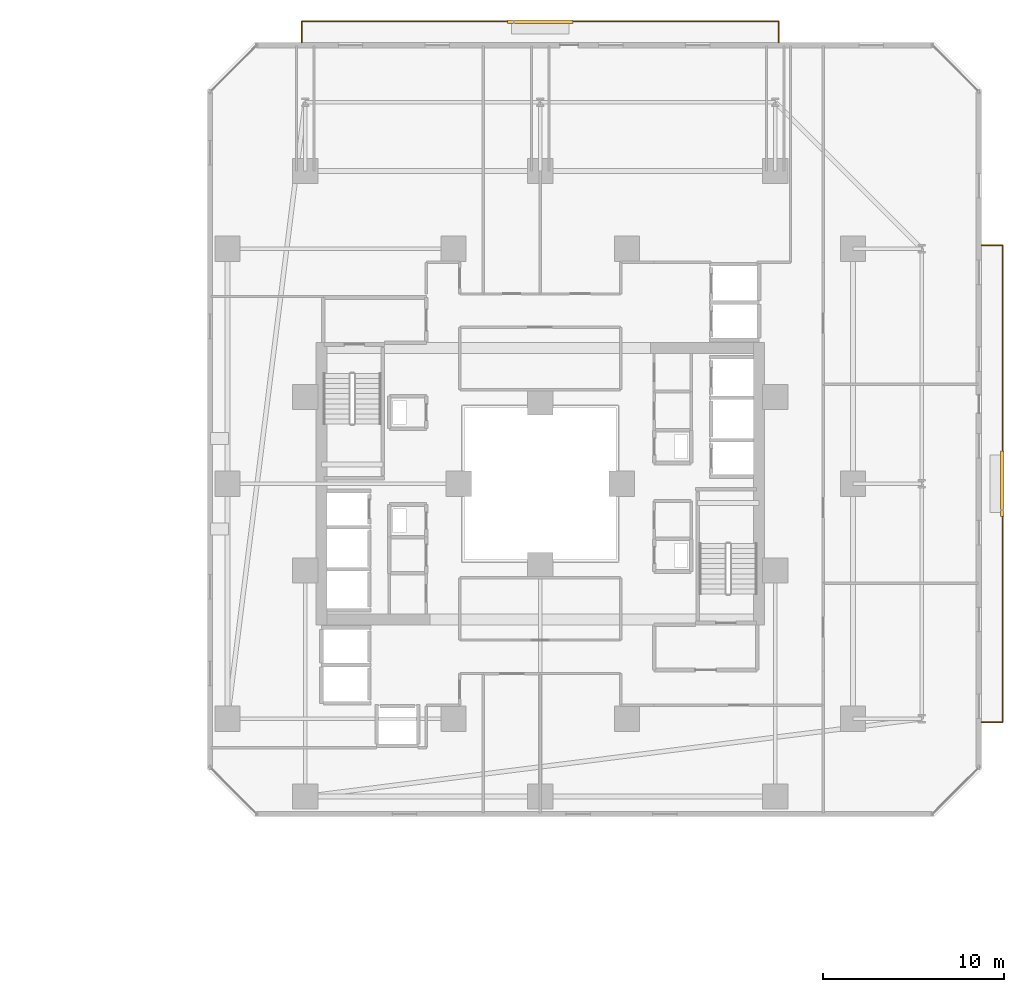
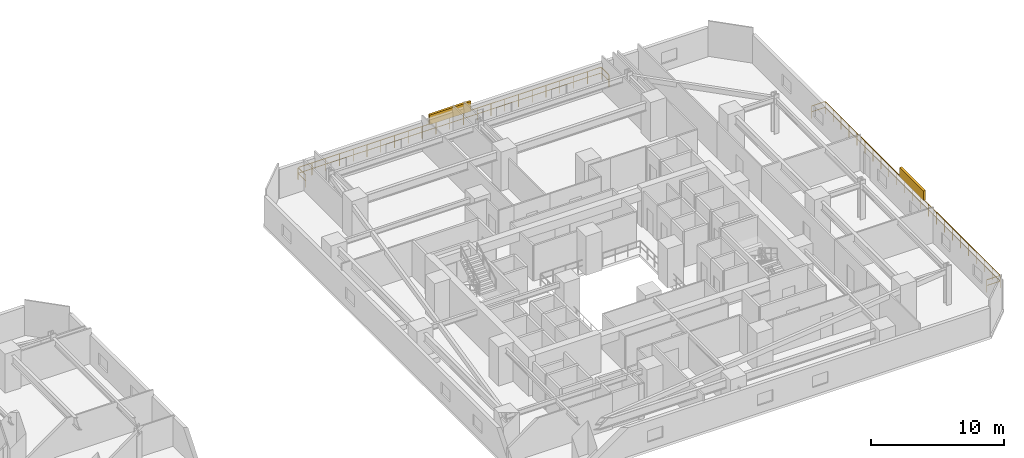
# One storey, part 36 of 36: 2 railings, 2 shading devices.
"""IFC4 building model written with IfcOpenShell, lengths in metres."""

from ifc_helpers import new_model, si_unit, direction, frame, origin, origin_2d, place, context, subcontext, project, spatial, rectangle, extrude, material, type_object, element, save


model = new_model("IFC4")

# Units and contexts
model_context = context("Model", 3, precision=1e-05, world=origin(), true_north=direction((0.0, 1.0)))
body_context = subcontext(model_context, "Body", "Model", "MODEL_VIEW")
ifc_project = project(units=[si_unit("LENGTHUNIT", "METRE"), si_unit("AREAUNIT", "SQUARE_METRE"), si_unit("VOLUMEUNIT", "CUBIC_METRE"), si_unit("PLANEANGLEUNIT", "RADIAN"), si_unit("MASSUNIT", "GRAM", prefix="KILO")], contexts=[model_context])

# Site, building, storey
site_placement = place(None, origin())
site = spatial("IfcSite", under=ifc_project, at=site_placement, CompositionType="ELEMENT")
building_placement = place(site_placement, origin())
building = spatial("IfcBuilding", under=site, at=building_placement, Name="Thornwick Lancets Civic Towers", CompositionType="ELEMENT")
storey_placement = place(building_placement, frame((0.0, 0.0, 68.10009765625)))
storey = spatial("IfcBuildingStorey", under=building, at=storey_placement, Name="L17", CompositionType="ELEMENT", Elevation=68.10009765625)

# Railings
ifc_material_1 = material(Name="Terracotta-capped laminated glass balustrade S355", Category="masonry")
railing_type = type_object("IfcRailingType", Name="RAIL_TERR_GUARD", PredefinedType="GUARDRAIL", material=ifc_material_1)
railing_1_placement = place(storey_placement, frame((112.89990234375, 13.800048828125, 0.0)))
element("IfcRailing", 1, at=railing_1_placement, inside=storey, type_object=railing_type, Name="L17 Tower B Balcony Guard E", PredefinedType="GUARDRAIL", context=body_context, shape_type="SweptSolid", body=[
    extrude(rectangle(XDim=0.048095703125, YDim=0.048095703125, at=origin_2d()), frame((0.0, 0.0, 1.1259765625), z_axis=(1.0, 0.0, 0.0), x_axis=(0.0, 1.0, 0.0)), (0.0, 0.0, 1.0), 1.138916015625),
    extrude(rectangle(XDim=0.0419921875, YDim=0.0419921875, at=origin_2d()), frame((0.03759765625, 0.0, 0.597900390625), z_axis=(1.0, 0.0, 0.0), x_axis=(0.0, 1.0, 0.0)), (0.0, 0.0, 1.0), 1.09521484375),
    extrude(rectangle(XDim=0.048095703125, YDim=0.048095703125, at=origin_2d()), frame((1.170166015625, 0.03125, 1.1259765625), z_axis=(0.0, 1.0, 0.0), x_axis=(-1.0, 0.0, 0.0)), (0.0, 0.0, 1.0), 26.33740234375),
    extrude(rectangle(XDim=0.0419921875, YDim=0.0419921875, at=origin_2d()), frame((1.170166015625, 0.03759765625, 0.597900390625), z_axis=(0.0, 1.0, 0.0), x_axis=(-1.0, 0.0, 0.0)), (0.0, 0.0, 1.0), 1.125),
    extrude(rectangle(XDim=0.0419921875, YDim=0.0419921875, at=origin_2d()), frame((1.170166015625, 1.237548828125, 0.597900390625), z_axis=(0.0, 1.0, 0.0), x_axis=(-1.0, 0.0, 0.0)), (0.0, 0.0, 1.0), 1.125),
    extrude(rectangle(XDim=0.0419921875, YDim=0.0419921875, at=origin_2d()), frame((1.170166015625, 2.4375, 0.597900390625), z_axis=(0.0, 1.0, 0.0), x_axis=(-1.0, 0.0, 0.0)), (0.0, 0.0, 1.0), 1.125),
    extrude(rectangle(XDim=0.0419921875, YDim=0.0419921875, at=origin_2d()), frame((1.170166015625, 3.637451171875, 0.597900390625), z_axis=(0.0, 1.0, 0.0), x_axis=(-1.0, 0.0, 0.0)), (0.0, 0.0, 1.0), 1.125),
    extrude(rectangle(XDim=0.0419921875, YDim=0.0419921875, at=origin_2d()), frame((1.170166015625, 4.83740234375, 0.597900390625), z_axis=(0.0, 1.0, 0.0), x_axis=(-1.0, 0.0, 0.0)), (0.0, 0.0, 1.0), 1.125),
    extrude(rectangle(XDim=0.0419921875, YDim=0.0419921875, at=origin_2d()), frame((1.170166015625, 6.037353515625, 0.597900390625), z_axis=(0.0, 1.0, 0.0), x_axis=(-1.0, 0.0, 0.0)), (0.0, 0.0, 1.0), 1.125),
    extrude(rectangle(XDim=0.0419921875, YDim=0.0419921875, at=origin_2d()), frame((1.170166015625, 7.237548828125, 0.597900390625), z_axis=(0.0, 1.0, 0.0), x_axis=(-1.0, 0.0, 0.0)), (0.0, 0.0, 1.0), 1.125),
    extrude(rectangle(XDim=0.0419921875, YDim=0.0419921875, at=origin_2d()), frame((1.170166015625, 8.4375, 0.597900390625), z_axis=(0.0, 1.0, 0.0), x_axis=(-1.0, 0.0, 0.0)), (0.0, 0.0, 1.0), 1.125),
    extrude(rectangle(XDim=0.0419921875, YDim=0.0419921875, at=origin_2d()), frame((1.170166015625, 9.637451171875, 0.597900390625), z_axis=(0.0, 1.0, 0.0), x_axis=(-1.0, 0.0, 0.0)), (0.0, 0.0, 1.0), 1.125),
    extrude(rectangle(XDim=0.0419921875, YDim=0.0419921875, at=origin_2d()), frame((1.170166015625, 10.83740234375, 0.597900390625), z_axis=(0.0, 1.0, 0.0), x_axis=(-1.0, 0.0, 0.0)), (0.0, 0.0, 1.0), 1.125),
    extrude(rectangle(XDim=0.0419921875, YDim=0.0419921875, at=origin_2d()), frame((1.170166015625, 12.037353515625, 0.597900390625), z_axis=(0.0, 1.0, 0.0), x_axis=(-1.0, 0.0, 0.0)), (0.0, 0.0, 1.0), 1.125),
    extrude(rectangle(XDim=0.0419921875, YDim=0.0419921875, at=origin_2d()), frame((1.170166015625, 13.237548828125, 0.597900390625), z_axis=(0.0, 1.0, 0.0), x_axis=(-1.0, 0.0, 0.0)), (0.0, 0.0, 1.0), 1.125),
    extrude(rectangle(XDim=0.0419921875, YDim=0.0419921875, at=origin_2d()), frame((1.170166015625, 14.4375, 0.597900390625), z_axis=(0.0, 1.0, 0.0), x_axis=(-1.0, 0.0, 0.0)), (0.0, 0.0, 1.0), 1.125),
    extrude(rectangle(XDim=0.0419921875, YDim=0.0419921875, at=origin_2d()), frame((1.170166015625, 15.637451171875, 0.597900390625), z_axis=(0.0, 1.0, 0.0), x_axis=(-1.0, 0.0, 0.0)), (0.0, 0.0, 1.0), 1.125),
    extrude(rectangle(XDim=0.0419921875, YDim=0.0419921875, at=origin_2d()), frame((1.170166015625, 16.83740234375, 0.597900390625), z_axis=(0.0, 1.0, 0.0), x_axis=(-1.0, 0.0, 0.0)), (0.0, 0.0, 1.0), 1.125),
    extrude(rectangle(XDim=0.0419921875, YDim=0.0419921875, at=origin_2d()), frame((1.170166015625, 18.037353515625, 0.597900390625), z_axis=(0.0, 1.0, 0.0), x_axis=(-1.0, 0.0, 0.0)), (0.0, 0.0, 1.0), 1.125),
    extrude(rectangle(XDim=0.0419921875, YDim=0.0419921875, at=origin_2d()), frame((1.170166015625, 19.2373046875, 0.597900390625), z_axis=(0.0, 1.0, 0.0), x_axis=(-1.0, 0.0, 0.0)), (0.0, 0.0, 1.0), 1.125),
    extrude(rectangle(XDim=0.0419921875, YDim=0.0419921875, at=origin_2d()), frame((1.170166015625, 20.4375, 0.597900390625), z_axis=(0.0, 1.0, 0.0), x_axis=(-1.0, 0.0, 0.0)), (0.0, 0.0, 1.0), 1.125),
    extrude(rectangle(XDim=0.0419921875, YDim=0.0419921875, at=origin_2d()), frame((1.170166015625, 21.637451171875, 0.597900390625), z_axis=(0.0, 1.0, 0.0), x_axis=(-1.0, 0.0, 0.0)), (0.0, 0.0, 1.0), 1.125),
    extrude(rectangle(XDim=0.0419921875, YDim=0.0419921875, at=origin_2d()), frame((1.170166015625, 22.83740234375, 0.597900390625), z_axis=(0.0, 1.0, 0.0), x_axis=(-1.0, 0.0, 0.0)), (0.0, 0.0, 1.0), 1.125),
    extrude(rectangle(XDim=0.0419921875, YDim=0.0419921875, at=origin_2d()), frame((1.170166015625, 24.037353515625, 0.597900390625), z_axis=(0.0, 1.0, 0.0), x_axis=(-1.0, 0.0, 0.0)), (0.0, 0.0, 1.0), 1.125),
    extrude(rectangle(XDim=0.0419921875, YDim=0.0419921875, at=origin_2d()), frame((1.170166015625, 25.2373046875, 0.597900390625), z_axis=(0.0, 1.0, 0.0), x_axis=(-1.0, 0.0, 0.0)), (0.0, 0.0, 1.0), 1.125),
    extrude(rectangle(XDim=0.048095703125, YDim=0.048095703125, at=origin_2d()), frame((1.138916015625, 26.39990234375, 1.1259765625), z_axis=(-1.0, 0.0, 0.0), x_axis=(0.0, -1.0, 0.0)), (0.0, 0.0, 1.0), 1.138916015625),
    extrude(rectangle(XDim=0.0419921875, YDim=0.0419921875, at=origin_2d()), frame((1.132568359375, 26.39990234375, 0.597900390625), z_axis=(-1.0, 0.0, 0.0), x_axis=(0.0, -1.0, 0.0)), (0.0, 0.0, 1.0), 1.09521484375),
    extrude(rectangle(XDim=0.0419921875, YDim=0.0419921875, at=origin_2d()), origin(), (0.0, 0.0, 1.0), 1.095703125),
    extrude(rectangle(XDim=0.0419921875, YDim=0.0419921875, at=origin_2d()), frame((1.170166015625, 0.0, 0.0)), (0.0, 0.0, 1.0), 1.095703125),
    extrude(rectangle(XDim=0.0419921875, YDim=0.0419921875, at=origin_2d()), frame((1.170166015625, 1.199951171875, 0.0)), (0.0, 0.0, 1.0), 1.095703125),
    extrude(rectangle(XDim=0.0419921875, YDim=0.0419921875, at=origin_2d()), frame((1.170166015625, 2.39990234375, 0.0)), (0.0, 0.0, 1.0), 1.095703125),
    extrude(rectangle(XDim=0.0419921875, YDim=0.0419921875, at=origin_2d()), frame((1.170166015625, 3.60009765625, 0.0)), (0.0, 0.0, 1.0), 1.095703125),
    extrude(rectangle(XDim=0.0419921875, YDim=0.0419921875, at=origin_2d()), frame((1.170166015625, 4.800048828125, 0.0)), (0.0, 0.0, 1.0), 1.095703125),
    extrude(rectangle(XDim=0.0419921875, YDim=0.0419921875, at=origin_2d()), frame((1.170166015625, 6.0, 0.0)), (0.0, 0.0, 1.0), 1.095703125),
    extrude(rectangle(XDim=0.0419921875, YDim=0.0419921875, at=origin_2d()), frame((1.170166015625, 7.199951171875, 0.0)), (0.0, 0.0, 1.0), 1.095703125),
    extrude(rectangle(XDim=0.0419921875, YDim=0.0419921875, at=origin_2d()), frame((1.170166015625, 8.39990234375, 0.0)), (0.0, 0.0, 1.0), 1.095703125),
    extrude(rectangle(XDim=0.0419921875, YDim=0.0419921875, at=origin_2d()), frame((1.170166015625, 9.599853515625, 0.0)), (0.0, 0.0, 1.0), 1.095703125),
    extrude(rectangle(XDim=0.0419921875, YDim=0.0419921875, at=origin_2d()), frame((1.170166015625, 10.800048828125, 0.0)), (0.0, 0.0, 1.0), 1.095703125),
    extrude(rectangle(XDim=0.0419921875, YDim=0.0419921875, at=origin_2d()), frame((1.170166015625, 12.0, 0.0)), (0.0, 0.0, 1.0), 1.095703125),
    extrude(rectangle(XDim=0.0419921875, YDim=0.0419921875, at=origin_2d()), frame((1.170166015625, 13.199951171875, 0.0)), (0.0, 0.0, 1.0), 1.095703125),
    extrude(rectangle(XDim=0.0419921875, YDim=0.0419921875, at=origin_2d()), frame((1.170166015625, 14.39990234375, 0.0)), (0.0, 0.0, 1.0), 1.095703125),
    extrude(rectangle(XDim=0.0419921875, YDim=0.0419921875, at=origin_2d()), frame((1.170166015625, 15.599853515625, 0.0)), (0.0, 0.0, 1.0), 1.095703125),
    extrude(rectangle(XDim=0.0419921875, YDim=0.0419921875, at=origin_2d()), frame((1.170166015625, 16.800048828125, 0.0)), (0.0, 0.0, 1.0), 1.095703125),
    extrude(rectangle(XDim=0.0419921875, YDim=0.0419921875, at=origin_2d()), frame((1.170166015625, 18.0, 0.0)), (0.0, 0.0, 1.0), 1.095703125),
    extrude(rectangle(XDim=0.0419921875, YDim=0.0419921875, at=origin_2d()), frame((1.170166015625, 19.199951171875, 0.0)), (0.0, 0.0, 1.0), 1.095703125),
    extrude(rectangle(XDim=0.0419921875, YDim=0.0419921875, at=origin_2d()), frame((1.170166015625, 20.39990234375, 0.0)), (0.0, 0.0, 1.0), 1.095703125),
    extrude(rectangle(XDim=0.0419921875, YDim=0.0419921875, at=origin_2d()), frame((1.170166015625, 21.599853515625, 0.0)), (0.0, 0.0, 1.0), 1.095703125),
    extrude(rectangle(XDim=0.0419921875, YDim=0.0419921875, at=origin_2d()), frame((1.170166015625, 22.7998046875, 0.0)), (0.0, 0.0, 1.0), 1.095703125),
    extrude(rectangle(XDim=0.0419921875, YDim=0.0419921875, at=origin_2d()), frame((1.170166015625, 24.0, 0.0)), (0.0, 0.0, 1.0), 1.095703125),
    extrude(rectangle(XDim=0.0419921875, YDim=0.0419921875, at=origin_2d()), frame((1.170166015625, 25.199951171875, 0.0)), (0.0, 0.0, 1.0), 1.095703125),
    extrude(rectangle(XDim=0.0419921875, YDim=0.0419921875, at=origin_2d()), frame((1.170166015625, 26.39990234375, 0.0)), (0.0, 0.0, 1.0), 1.095703125),
    extrude(rectangle(XDim=0.0419921875, YDim=0.0419921875, at=origin_2d()), frame((0.0, 26.39990234375, 0.0)), (0.0, 0.0, 1.0), 1.095703125),
])
railing_2_placement = place(storey_placement, frame((75.300048828125, 51.39990234375, 0.0)))
element("IfcRailing", 2, at=railing_2_placement, inside=storey, type_object=railing_type, Name="L17 Tower B Balcony Guard N", PredefinedType="GUARDRAIL", context=body_context, shape_type="SweptSolid", body=[
    extrude(rectangle(XDim=0.048095703125, YDim=0.048095703125, at=origin_2d()), frame((0.0, 0.0, 1.1259765625), z_axis=(0.0, 1.0, 0.0), x_axis=(-1.0, 0.0, 0.0)), (0.0, 0.0, 1.0), 1.138916015625),
    extrude(rectangle(XDim=0.0419921875, YDim=0.0419921875, at=origin_2d()), frame((0.0, 0.03759765625, 0.597900390625), z_axis=(0.0, 1.0, 0.0), x_axis=(-1.0, 0.0, 0.0)), (0.0, 0.0, 1.0), 1.09521484375),
    extrude(rectangle(XDim=0.048095703125, YDim=0.048095703125, at=origin_2d()), frame((0.03125, 1.170166015625, 1.1259765625), z_axis=(1.0, 0.0, 0.0), x_axis=(0.0, 1.0, 0.0)), (0.0, 0.0, 1.0), 26.33740234375),
    extrude(rectangle(XDim=0.0419921875, YDim=0.0419921875, at=origin_2d()), frame((0.03759765625, 1.170166015625, 0.597900390625), z_axis=(1.0, 0.0, 0.0), x_axis=(0.0, 1.0, 0.0)), (0.0, 0.0, 1.0), 1.125),
    extrude(rectangle(XDim=0.0419921875, YDim=0.0419921875, at=origin_2d()), frame((1.237548828125, 1.170166015625, 0.597900390625), z_axis=(1.0, 0.0, 0.0), x_axis=(0.0, 1.0, 0.0)), (0.0, 0.0, 1.0), 1.125),
    extrude(rectangle(XDim=0.0419921875, YDim=0.0419921875, at=origin_2d()), frame((2.4375, 1.170166015625, 0.597900390625), z_axis=(1.0, 0.0, 0.0), x_axis=(0.0, 1.0, 0.0)), (0.0, 0.0, 1.0), 1.125),
    extrude(rectangle(XDim=0.0419921875, YDim=0.0419921875, at=origin_2d()), frame((3.637451171875, 1.170166015625, 0.597900390625), z_axis=(1.0, 0.0, 0.0), x_axis=(0.0, 1.0, 0.0)), (0.0, 0.0, 1.0), 1.125),
    extrude(rectangle(XDim=0.0419921875, YDim=0.0419921875, at=origin_2d()), frame((4.83740234375, 1.170166015625, 0.597900390625), z_axis=(1.0, 0.0, 0.0), x_axis=(0.0, 1.0, 0.0)), (0.0, 0.0, 1.0), 1.125),
    extrude(rectangle(XDim=0.0419921875, YDim=0.0419921875, at=origin_2d()), frame((6.037353515625, 1.170166015625, 0.597900390625), z_axis=(1.0, 0.0, 0.0), x_axis=(0.0, 1.0, 0.0)), (0.0, 0.0, 1.0), 1.125),
    extrude(rectangle(XDim=0.0419921875, YDim=0.0419921875, at=origin_2d()), frame((7.237548828125, 1.170166015625, 0.597900390625), z_axis=(1.0, 0.0, 0.0), x_axis=(0.0, 1.0, 0.0)), (0.0, 0.0, 1.0), 1.125),
    extrude(rectangle(XDim=0.0419921875, YDim=0.0419921875, at=origin_2d()), frame((8.4375, 1.170166015625, 0.597900390625), z_axis=(1.0, 0.0, 0.0), x_axis=(0.0, 1.0, 0.0)), (0.0, 0.0, 1.0), 1.125),
    extrude(rectangle(XDim=0.0419921875, YDim=0.0419921875, at=origin_2d()), frame((9.637451171875, 1.170166015625, 0.597900390625), z_axis=(1.0, 0.0, 0.0), x_axis=(0.0, 1.0, 0.0)), (0.0, 0.0, 1.0), 1.125),
    extrude(rectangle(XDim=0.0419921875, YDim=0.0419921875, at=origin_2d()), frame((10.83740234375, 1.170166015625, 0.597900390625), z_axis=(1.0, 0.0, 0.0), x_axis=(0.0, 1.0, 0.0)), (0.0, 0.0, 1.0), 1.125),
    extrude(rectangle(XDim=0.0419921875, YDim=0.0419921875, at=origin_2d()), frame((12.037353515625, 1.170166015625, 0.597900390625), z_axis=(1.0, 0.0, 0.0), x_axis=(0.0, 1.0, 0.0)), (0.0, 0.0, 1.0), 1.125),
    extrude(rectangle(XDim=0.0419921875, YDim=0.0419921875, at=origin_2d()), frame((13.237548828125, 1.170166015625, 0.597900390625), z_axis=(1.0, 0.0, 0.0), x_axis=(0.0, 1.0, 0.0)), (0.0, 0.0, 1.0), 1.125),
    extrude(rectangle(XDim=0.0419921875, YDim=0.0419921875, at=origin_2d()), frame((14.4375, 1.170166015625, 0.597900390625), z_axis=(1.0, 0.0, 0.0), x_axis=(0.0, 1.0, 0.0)), (0.0, 0.0, 1.0), 1.125),
    extrude(rectangle(XDim=0.0419921875, YDim=0.0419921875, at=origin_2d()), frame((15.637451171875, 1.170166015625, 0.597900390625), z_axis=(1.0, 0.0, 0.0), x_axis=(0.0, 1.0, 0.0)), (0.0, 0.0, 1.0), 1.125),
    extrude(rectangle(XDim=0.0419921875, YDim=0.0419921875, at=origin_2d()), frame((16.83740234375, 1.170166015625, 0.597900390625), z_axis=(1.0, 0.0, 0.0), x_axis=(0.0, 1.0, 0.0)), (0.0, 0.0, 1.0), 1.125),
    extrude(rectangle(XDim=0.0419921875, YDim=0.0419921875, at=origin_2d()), frame((18.037353515625, 1.170166015625, 0.597900390625), z_axis=(1.0, 0.0, 0.0), x_axis=(0.0, 1.0, 0.0)), (0.0, 0.0, 1.0), 1.125),
    extrude(rectangle(XDim=0.0419921875, YDim=0.0419921875, at=origin_2d()), frame((19.2373046875, 1.170166015625, 0.597900390625), z_axis=(1.0, 0.0, 0.0), x_axis=(0.0, 1.0, 0.0)), (0.0, 0.0, 1.0), 1.125),
    extrude(rectangle(XDim=0.0419921875, YDim=0.0419921875, at=origin_2d()), frame((20.4375, 1.170166015625, 0.597900390625), z_axis=(1.0, 0.0, 0.0), x_axis=(0.0, 1.0, 0.0)), (0.0, 0.0, 1.0), 1.125),
    extrude(rectangle(XDim=0.0419921875, YDim=0.0419921875, at=origin_2d()), frame((21.637451171875, 1.170166015625, 0.597900390625), z_axis=(1.0, 0.0, 0.0), x_axis=(0.0, 1.0, 0.0)), (0.0, 0.0, 1.0), 1.125),
    extrude(rectangle(XDim=0.0419921875, YDim=0.0419921875, at=origin_2d()), frame((22.83740234375, 1.170166015625, 0.597900390625), z_axis=(1.0, 0.0, 0.0), x_axis=(0.0, 1.0, 0.0)), (0.0, 0.0, 1.0), 1.125),
    extrude(rectangle(XDim=0.0419921875, YDim=0.0419921875, at=origin_2d()), frame((24.037353515625, 1.170166015625, 0.597900390625), z_axis=(1.0, 0.0, 0.0), x_axis=(0.0, 1.0, 0.0)), (0.0, 0.0, 1.0), 1.125),
    extrude(rectangle(XDim=0.0419921875, YDim=0.0419921875, at=origin_2d()), frame((25.2373046875, 1.170166015625, 0.597900390625), z_axis=(1.0, 0.0, 0.0), x_axis=(0.0, 1.0, 0.0)), (0.0, 0.0, 1.0), 1.125),
    extrude(rectangle(XDim=0.048095703125, YDim=0.048095703125, at=origin_2d()), frame((26.39990234375, 1.138916015625, 1.1259765625), z_axis=(0.0, -1.0, 0.0), x_axis=(1.0, 0.0, 0.0)), (0.0, 0.0, 1.0), 1.138916015625),
    extrude(rectangle(XDim=0.0419921875, YDim=0.0419921875, at=origin_2d()), frame((26.39990234375, 1.132568359375, 0.597900390625), z_axis=(0.0, -1.0, 0.0), x_axis=(1.0, 0.0, 0.0)), (0.0, 0.0, 1.0), 1.09521484375),
    extrude(rectangle(XDim=0.0419921875, YDim=0.0419921875, at=origin_2d()), origin(), (0.0, 0.0, 1.0), 1.095703125),
    extrude(rectangle(XDim=0.0419921875, YDim=0.0419921875, at=origin_2d()), frame((0.0, 1.170166015625, 0.0)), (0.0, 0.0, 1.0), 1.095703125),
    extrude(rectangle(XDim=0.0419921875, YDim=0.0419921875, at=origin_2d()), frame((1.199951171875, 1.170166015625, 0.0)), (0.0, 0.0, 1.0), 1.095703125),
    extrude(rectangle(XDim=0.0419921875, YDim=0.0419921875, at=origin_2d()), frame((2.39990234375, 1.170166015625, 0.0)), (0.0, 0.0, 1.0), 1.095703125),
    extrude(rectangle(XDim=0.0419921875, YDim=0.0419921875, at=origin_2d()), frame((3.60009765625, 1.170166015625, 0.0)), (0.0, 0.0, 1.0), 1.095703125),
    extrude(rectangle(XDim=0.0419921875, YDim=0.0419921875, at=origin_2d()), frame((4.800048828125, 1.170166015625, 0.0)), (0.0, 0.0, 1.0), 1.095703125),
    extrude(rectangle(XDim=0.0419921875, YDim=0.0419921875, at=origin_2d()), frame((6.0, 1.170166015625, 0.0)), (0.0, 0.0, 1.0), 1.095703125),
    extrude(rectangle(XDim=0.0419921875, YDim=0.0419921875, at=origin_2d()), frame((7.199951171875, 1.170166015625, 0.0)), (0.0, 0.0, 1.0), 1.095703125),
    extrude(rectangle(XDim=0.0419921875, YDim=0.0419921875, at=origin_2d()), frame((8.39990234375, 1.170166015625, 0.0)), (0.0, 0.0, 1.0), 1.095703125),
    extrude(rectangle(XDim=0.0419921875, YDim=0.0419921875, at=origin_2d()), frame((9.599853515625, 1.170166015625, 0.0)), (0.0, 0.0, 1.0), 1.095703125),
    extrude(rectangle(XDim=0.0419921875, YDim=0.0419921875, at=origin_2d()), frame((10.800048828125, 1.170166015625, 0.0)), (0.0, 0.0, 1.0), 1.095703125),
    extrude(rectangle(XDim=0.0419921875, YDim=0.0419921875, at=origin_2d()), frame((12.0, 1.170166015625, 0.0)), (0.0, 0.0, 1.0), 1.095703125),
    extrude(rectangle(XDim=0.0419921875, YDim=0.0419921875, at=origin_2d()), frame((13.199951171875, 1.170166015625, 0.0)), (0.0, 0.0, 1.0), 1.095703125),
    extrude(rectangle(XDim=0.0419921875, YDim=0.0419921875, at=origin_2d()), frame((14.39990234375, 1.170166015625, 0.0)), (0.0, 0.0, 1.0), 1.095703125),
    extrude(rectangle(XDim=0.0419921875, YDim=0.0419921875, at=origin_2d()), frame((15.599853515625, 1.170166015625, 0.0)), (0.0, 0.0, 1.0), 1.095703125),
    extrude(rectangle(XDim=0.0419921875, YDim=0.0419921875, at=origin_2d()), frame((16.800048828125, 1.170166015625, 0.0)), (0.0, 0.0, 1.0), 1.095703125),
    extrude(rectangle(XDim=0.0419921875, YDim=0.0419921875, at=origin_2d()), frame((18.0, 1.170166015625, 0.0)), (0.0, 0.0, 1.0), 1.095703125),
    extrude(rectangle(XDim=0.0419921875, YDim=0.0419921875, at=origin_2d()), frame((19.199951171875, 1.170166015625, 0.0)), (0.0, 0.0, 1.0), 1.095703125),
    extrude(rectangle(XDim=0.0419921875, YDim=0.0419921875, at=origin_2d()), frame((20.39990234375, 1.170166015625, 0.0)), (0.0, 0.0, 1.0), 1.095703125),
    extrude(rectangle(XDim=0.0419921875, YDim=0.0419921875, at=origin_2d()), frame((21.599853515625, 1.170166015625, 0.0)), (0.0, 0.0, 1.0), 1.095703125),
    extrude(rectangle(XDim=0.0419921875, YDim=0.0419921875, at=origin_2d()), frame((22.7998046875, 1.170166015625, 0.0)), (0.0, 0.0, 1.0), 1.095703125),
    extrude(rectangle(XDim=0.0419921875, YDim=0.0419921875, at=origin_2d()), frame((24.0, 1.170166015625, 0.0)), (0.0, 0.0, 1.0), 1.095703125),
    extrude(rectangle(XDim=0.0419921875, YDim=0.0419921875, at=origin_2d()), frame((25.199951171875, 1.170166015625, 0.0)), (0.0, 0.0, 1.0), 1.095703125),
    extrude(rectangle(XDim=0.0419921875, YDim=0.0419921875, at=origin_2d()), frame((26.39990234375, 1.170166015625, 0.0)), (0.0, 0.0, 1.0), 1.095703125),
    extrude(rectangle(XDim=0.0419921875, YDim=0.0419921875, at=origin_2d()), frame((26.39990234375, 0.0, 0.0)), (0.0, 0.0, 1.0), 1.095703125),
])

# Shading devices
ifc_material_2 = material(Name="Extruded terracotta baguette solar screen", Category="masonry")
shading_device_type = type_object("IfcShadingDeviceType", Name="SHADE_BAGUETTE", PredefinedType="JALOUSIE", material=ifc_material_2)
for number, where, z_axis, x_axis, name in (
    (3, (114.06005859375, 27.0, 1.119873046875), (0.0, 0.0, 1.0), (0.0, 1.0, 0.0), "L17 Tower B Terracotta Baguette Screen E"),
    (4, (88.5, 52.56005859375, 1.119873046875), (0.0, 0.0, 1.0), (1.0, 0.0, 0.0), "L17 Tower B Terracotta Baguette Screen N"),
):
    element("IfcShadingDevice", number, at=place(storey_placement, frame(where, z_axis=z_axis, x_axis=x_axis)), inside=storey, type_object=shading_device_type, Name=name, PredefinedType="JALOUSIE", context=body_context, shape_type="SweptSolid", body=[
        extrude(rectangle(XDim=3.60009765625, YDim=0.179931640625, at=origin_2d()), origin(), (0.0, 0.0, 1.0), 0.89990234375),
    ])

save(model, "model.ifc")
